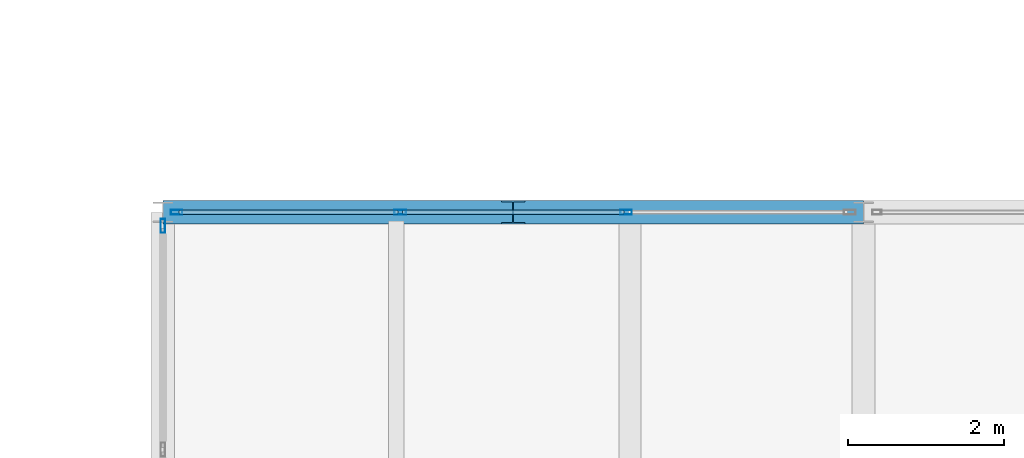
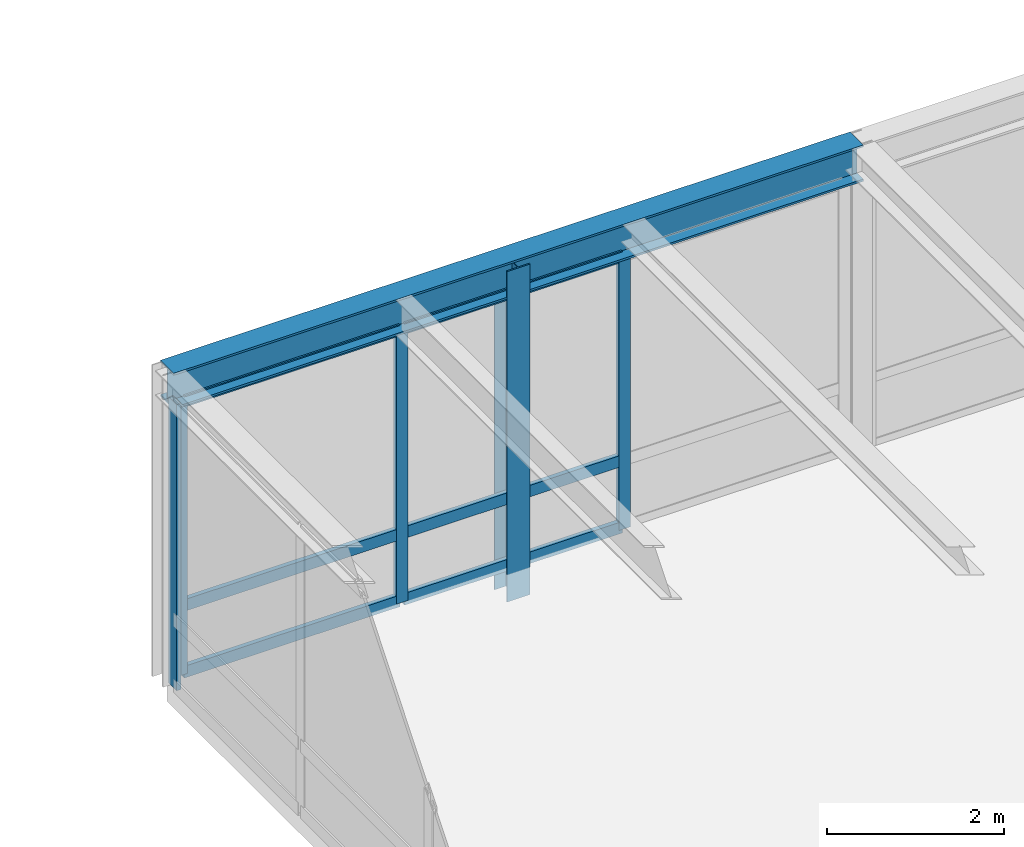
# One storey, part 65 of 115: 11 members, 1 beam, 2 elements without a shape of their own.
"""IFC4 building model written with IfcOpenShell, lengths in metres."""

import ifcopenshell
import ifcopenshell.guid

model = None  # the IFC model being written
_history = None  # IfcOwnerHistory: only IFC2X3 demands one
_inside = {}  # id of a spatial element -> (the spatial element, [elements in it])
_under = {}  # id of a project, library or spatial element -> (it, [spatial elements below it])
_declared = {}  # id of a project -> (the project, [libraries it declares])
_typed = {}  # id of a type object -> (the type object, [elements of that type])
_made_of = {}  # id of a material, layer set ... -> (it, [elements and type objects made of it])


def new_model(schema):
    """Start an empty IFC model of exactly this schema.

    Asked for "IFC4X3", IfcOpenShell would pick the latest addendum, in which some entities
    have other attributes; the version numbers below select the first issue.
    IFC2X3 requires an IfcOwnerHistory on every rooted entity: one is made here for all.
    """
    global model, _history
    if schema == "IFC4X3":
        model = ifcopenshell.file(schema_version=(4, 3, 0, 0))
    else:
        model = ifcopenshell.file(schema=schema)
    _inside.clear()
    _under.clear()
    _declared.clear()
    _typed.clear()
    _made_of.clear()
    _history = None
    if model.schema == "IFC2X3":
        org = make("IfcOrganization", Name="unknown")
        user = make(
            "IfcPersonAndOrganization",
            ThePerson=make("IfcPerson", FamilyName="unknown"),
            TheOrganization=org,
        )
        app = make(
            "IfcApplication",
            ApplicationDeveloper=org,
            Version="unknown",
            ApplicationFullName="unknown",
            ApplicationIdentifier="unknown",
        )
        _history = make(
            "IfcOwnerHistory",
            OwningUser=user,
            OwningApplication=app,
            ChangeAction="ADDED",
            CreationDate=0,
        )
    return model


def make(cls, **values):
    """One entity of the class cls with the attributes given. An attribute that is None is left unset."""
    return model.create_entity(
        cls, **{name: value for name, value in values.items() if value is not None}
    )


def rooted(cls, **values):
    """An entity with a GlobalId (a new one), such as an element, a storey or a relation."""
    return make(cls, GlobalId=ifcopenshell.guid.new(), OwnerHistory=_history, **values)


def si_unit(unit_type, name, prefix=None):
    """IfcSIUnit, for example si_unit("LENGTHUNIT", "METRE", prefix="MILLI")."""
    return make("IfcSIUnit", UnitType=unit_type, Prefix=prefix, Name=name)


def assignment(units):
    """IfcUnitAssignment: the units of a project."""
    return None if units is None else make("IfcUnitAssignment", Units=units)


def point(xyz):
    """IfcCartesianPoint."""
    return None if xyz is None else make("IfcCartesianPoint", Coordinates=xyz)


def direction(xyz):
    """IfcDirection."""
    return None if xyz is None else make("IfcDirection", DirectionRatios=xyz)


def frame(location, z_axis=None, x_axis=None):
    """IfcAxis2Placement3D, a coordinate frame: its origin and axes. An axis left out is left unset."""
    return make(
        "IfcAxis2Placement3D",
        Location=point(location),
        Axis=direction(z_axis),
        RefDirection=direction(x_axis),
    )


def frame_2d(location, x_axis=None):
    """IfcAxis2Placement2D, a coordinate frame in the plane: its origin and x axis."""
    return make(
        "IfcAxis2Placement2D", Location=point(location), RefDirection=direction(x_axis)
    )


def origin():
    """The frame at (0, 0, 0) with its axes left unset."""
    return frame((0.0, 0.0, 0.0))


def origin_2d():
    """The frame at (0, 0) in the plane with its x axis left unset."""
    return frame_2d((0.0, 0.0))


def place(relative_to, where):
    """IfcLocalPlacement: puts the frame where relative to a parent placement (None: the world)."""
    return make(
        "IfcLocalPlacement", PlacementRelTo=relative_to, RelativePlacement=where
    )


def context(
    kind, dimensions, precision=None, world=None, true_north=None, identifier=None
):
    """IfcGeometricRepresentationContext, for example the 3D "Model" context."""
    return make(
        "IfcGeometricRepresentationContext",
        ContextIdentifier=identifier,
        ContextType=kind,
        CoordinateSpaceDimension=dimensions,
        Precision=precision,
        WorldCoordinateSystem=world,
        TrueNorth=true_north,
    )


def subcontext(parent, identifier, kind, view, scale=None):
    """IfcGeometricRepresentationSubContext, for example "Body" below "Model"."""
    return make(
        "IfcGeometricRepresentationSubContext",
        ContextIdentifier=identifier,
        ContextType=kind,
        ParentContext=parent,
        TargetScale=scale,
        TargetView=view,
    )


def project(units=None, contexts=None):
    """IfcProject with its units and contexts."""
    return rooted(
        "IfcProject",
        Name="project",
        RepresentationContexts=contexts,
        UnitsInContext=assignment(units),
    )


def spatial(cls, under=None, at=None, **own):
    """A site, building, storey or space (cls), placed at a placement, below another one or the project."""
    s = rooted(cls, ObjectPlacement=at, **own)
    if under is not None:
        _under.setdefault(under.id(), (under, []))[1].append(s)
    return s


def profile(cls, at=None, kind="AREA", **sizes):
    """A parametric profile (cls). Its sizes go by their IFC names, for example OverallWidth=200.0."""
    return make(cls, ProfileType=kind, Position=at, **sizes)


def hollow_rectangle(**sizes):
    """IfcRectangleHollowProfileDef."""
    return profile("IfcRectangleHollowProfileDef", **sizes)


def i_section(**sizes):
    """IfcIShapeProfileDef."""
    return profile("IfcIShapeProfileDef", **sizes)


def extrude(swept, where, along, depth):
    """IfcExtrudedAreaSolid: the profile swept, set in the frame where, extruded along a direction by depth."""
    return make(
        "IfcExtrudedAreaSolid",
        SweptArea=swept,
        Position=where,
        ExtrudedDirection=direction(along),
        Depth=depth,
    )


def shape(context_of_items, identifier, shape_type, items):
    """IfcShapeRepresentation: the items that make up one representation, for example the "Body"."""
    return make(
        "IfcShapeRepresentation",
        ContextOfItems=context_of_items,
        RepresentationIdentifier=identifier,
        RepresentationType=shape_type,
        Items=items,
    )


def material(Name=None, Category=None):
    """IfcMaterial."""
    return make("IfcMaterial", Name=Name, Category=Category)


def layer(
    of_material, thickness, ventilated=None, Name=None, Category=None, Priority=None
):
    """IfcMaterialLayer: one layer of a wall or slab, of a material (None: an air gap)."""
    return make(
        "IfcMaterialLayer",
        Material=of_material,
        LayerThickness=thickness,
        IsVentilated=ventilated,
        Name=Name,
        Category=Category,
        Priority=Priority,
    )


def layer_set(layers, Name=None):
    """IfcMaterialLayerSet."""
    return make("IfcMaterialLayerSet", MaterialLayers=layers, LayerSetName=Name)


def material_profile(
    of_material, cross_section, Name=None, Category=None, Priority=None
):
    """IfcMaterialProfile: a cross section and its material."""
    return make(
        "IfcMaterialProfile",
        Name=Name,
        Material=of_material,
        Profile=cross_section,
        Priority=Priority,
        Category=Category,
    )


def profile_set(profiles, Name=None, composite=None):
    """IfcMaterialProfileSet."""
    return make(
        "IfcMaterialProfileSet",
        Name=Name,
        MaterialProfiles=profiles,
        CompositeProfile=composite,
    )


def made_of(thing, what):
    """Note that an element or type object is made of a material, layer set ...; save() writes the relation."""
    if what is not None:
        _made_of.setdefault(what.id(), (what, []))[1].append(thing)
    return thing


def type_object(cls, material=None, **own):
    """A type object (cls), such as IfcWallType, which elements share."""
    return made_of(rooted(cls, **own), material)


def element(
    cls,
    number,
    at=None,
    inside=None,
    cuts=None,
    type_object=None,
    material=None,
    context=None,
    identifier="Body",
    shape_type=None,
    held_by="IfcProductDefinitionShape",
    body=None,
    shapes=None,
    **own,
):
    """One element of the class cls, such as IfcWall. Its Tag is "e" and its number.

    at: its placement. inside: the storey or other place that contains it. cuts: it is an
    opening in that element (IfcRelVoidsElement). A single representation is given by context,
    identifier, shape_type and body (its items); several are given by shapes. held_by: the class
    of the entity that holds the representations. save() writes the other relations.
    """
    e = rooted(cls, Tag="e%d" % number, ObjectPlacement=at, **own)
    if body is not None:
        shapes = [shape(context, identifier, shape_type, body)]
    if shapes is not None:
        e.Representation = make(held_by, Representations=shapes)
    if inside is not None:
        _inside.setdefault(inside.id(), (inside, []))[1].append(e)
    if cuts is not None:
        rooted(
            "IfcRelVoidsElement", RelatingBuildingElement=cuts, RelatedOpeningElement=e
        )
    if type_object is not None:
        _typed.setdefault(type_object.id(), (type_object, []))[1].append(e)
    return made_of(e, material)


def aggregate(whole, parts):
    """IfcRelAggregates: a whole, such as a stair, and the parts it consists of."""
    return rooted("IfcRelAggregates", RelatingObject=whole, RelatedObjects=parts)


def save(model, path):
    """Write the relations noted so far, then the file.

    IfcRelAggregates (storeys below a building ...), IfcRelContainedInSpatialStructure (elements
    in a storey), IfcRelDefinesByType, IfcRelAssociatesMaterial and IfcRelDeclares: one each for
    every whole, place, type object, material and project.
    """
    for whole, parts in _under.values():
        aggregate(whole, parts)
    for where, things in _inside.values():
        rooted(
            "IfcRelContainedInSpatialStructure",
            RelatedElements=things,
            RelatingStructure=where,
        )
    for kind, things in _typed.values():
        rooted("IfcRelDefinesByType", RelatedObjects=things, RelatingType=kind)
    for what, things in _made_of.values():
        rooted("IfcRelAssociatesMaterial", RelatedObjects=things, RelatingMaterial=what)
    for by, libraries in _declared.values():
        rooted("IfcRelDeclares", RelatingContext=by, RelatedDefinitions=libraries)
    model.write(path)


model = new_model("IFC4")

# Units and contexts
model_context = context("Model", 3, precision=1e-05, world=origin(), true_north=direction((0.0, 1.0)))
body_context = subcontext(model_context, "Body", "Model", "MODEL_VIEW")
ifc_project = project(units=[si_unit("LENGTHUNIT", "METRE"), si_unit("AREAUNIT", "SQUARE_METRE"), si_unit("VOLUMEUNIT", "CUBIC_METRE"), si_unit("PLANEANGLEUNIT", "RADIAN"), si_unit("MASSUNIT", "GRAM", prefix="KILO")], contexts=[model_context])

# Site, building, storey
site_placement = place(None, origin())
site = spatial("IfcSite", under=ifc_project, at=site_placement, CompositionType="ELEMENT")
building_placement = place(site_placement, origin())
building = spatial("IfcBuilding", under=site, at=building_placement, Name="Montelvaro Courts of Justice", CompositionType="ELEMENT")
storey_placement = place(building_placement, frame((0.0, 0.0, 9.89990234375)))
storey = spatial("IfcBuildingStorey", under=building, at=storey_placement, Name="L02", CompositionType="ELEMENT", Elevation=9.89990234375)

# Beam
ifc_material_1 = material(Name="Steel S355", Category="steel")
ifc_material_profile_1 = material_profile(ifc_material_1, i_section(OverallWidth=0.300048828125, OverallDepth=0.5, WebThickness=0.014404296875, FlangeThickness=0.028076171875, at=origin_2d()), Name="HEB 500")
ifc_profile_set_1 = profile_set([ifc_material_profile_1], Name="Steel S355")
beam_type = type_object("IfcBeamType", Name="Beam_HEB500", PredefinedType="USERDEFINED", material=ifc_profile_set_1)
beam_placement = place(storey_placement, frame((27.0, 108.0, 4.050048828125), z_axis=(1.0, 0.0, 0.0), x_axis=(0.0, 1.0, 0.0)))
element("IfcBeam", 1, at=beam_placement, inside=storey, type_object=beam_type, Name="Beam B-25 L02", ObjectType="GIRDER", PredefinedType="USERDEFINED", context=body_context, shape_type="SweptSolid", body=[
    extrude(i_section(OverallWidth=0.300048828125, OverallDepth=0.5, WebThickness=0.014404296875, FlangeThickness=0.028076171875, at=origin_2d()), origin(), (0.0, 0.0, 1.0), 9.0),
])

# Curtain wall, members
ifc_material_2 = material(Name="Anodised aluminium EN AW-6063", Category="aluminium")
ifc_layer_1 = layer(ifc_material_2, 0.159912109375)
ifc_layer_set_1 = layer_set([ifc_layer_1], Name="Anodised aluminium EN AW-6063")
curtain_wall_type_1 = type_object("IfcCurtainWallType", Name="CurtainWall_18_868x418", PredefinedType="USERDEFINED", material=ifc_layer_set_1)
curtain_wall_1_placement = place(storey_placement, origin())
curtain_wall_1 = element("IfcCurtainWall", 2, at=curtain_wall_1_placement, inside=storey, type_object=curtain_wall_type_1, Name="Curtain Wall CW-18 (L02)", ObjectType="CURTAIN WALL", PredefinedType="USERDEFINED")
ifc_material_profile_2 = material_profile(ifc_material_2, hollow_rectangle(XDim=0.06005859375, YDim=0.14990234375, WallThickness=0.00390625, at=origin_2d()), Name="ALU-M 60x150")
ifc_profile_set_2 = profile_set([ifc_material_profile_2], Name="Anodised aluminium EN AW-6063")
member_type_1 = type_object("IfcMemberType", Name="CurtainWall_Mullion_60x150", PredefinedType="MULLION", material=ifc_profile_set_2)
member_1_placement = place(storey_placement, frame((32.95166015625, 108.0, 0.0), z_axis=(0.0, 0.0, 1.0), x_axis=(0.0, -1.0, 0.0)))
member_1 = element("IfcMember", 3, at=member_1_placement, type_object=member_type_1, Name="CW-18 mullion 2", PredefinedType="MULLION", context=body_context, shape_type="SweptSolid", body=[
    extrude(hollow_rectangle(XDim=0.06005859375, YDim=0.14990234375, WallThickness=0.00390625, at=origin_2d()), origin(), (0.0, 0.0, 1.0), 3.795166015625),
])
member_2_placement = place(storey_placement, frame((30.04833984375, 108.0, 0.0), z_axis=(0.0, 0.0, 1.0), x_axis=(0.0, -1.0, 0.0)))
member_2 = element("IfcMember", 4, at=member_2_placement, type_object=member_type_1, Name="CW-18 mullion 3", PredefinedType="MULLION", context=body_context, shape_type="SweptSolid", body=[
    extrude(hollow_rectangle(XDim=0.06005859375, YDim=0.14990234375, WallThickness=0.00390625, at=origin_2d()), origin(), (0.0, 0.0, 1.0), 3.795166015625),
])
member_3_placement = place(storey_placement, frame((27.175048828125, 108.0, 0.0), z_axis=(0.0, 0.0, 1.0), x_axis=(0.0, -1.0, 0.0)))
member_3 = element("IfcMember", 5, at=member_3_placement, type_object=member_type_1, Name="CW-18 mullion 4", PredefinedType="MULLION", context=body_context, shape_type="SweptSolid", body=[
    extrude(hollow_rectangle(XDim=0.06005859375, YDim=0.14990234375, WallThickness=0.00390625, at=origin_2d()), origin(), (0.0, 0.0, 1.0), 3.795166015625),
])

# Curtain wall, member
ifc_layer_2 = layer(ifc_material_2, 0.159912109375)
ifc_layer_set_2 = layer_set([ifc_layer_2], Name="Anodised aluminium EN AW-6063")
curtain_wall_type_2 = type_object("IfcCurtainWallType", Name="CurtainWall_19_1159x418", PredefinedType="USERDEFINED", material=ifc_layer_set_2)
curtain_wall_2_placement = place(storey_placement, origin())
curtain_wall_2 = element("IfcCurtainWall", 6, at=curtain_wall_2_placement, inside=storey, type_object=curtain_wall_type_2, Name="Curtain Wall CW-19 (L02)", ObjectType="CURTAIN WALL", PredefinedType="USERDEFINED")
ifc_material_profile_3 = material_profile(ifc_material_2, hollow_rectangle(XDim=0.06005859375, YDim=0.179931640625, WallThickness=0.00439453125, at=origin_2d()), Name="ALU-M 60x180")
ifc_profile_set_3 = profile_set([ifc_material_profile_3], Name="Anodised aluminium EN AW-6063")
member_type_2 = type_object("IfcMemberType", Name="CurtainWall_Mullion_60x180", PredefinedType="MULLION", material=ifc_profile_set_3)
member_4_placement = place(storey_placement, frame((27.0, 107.824951171875, 0.0), z_axis=(0.0, 0.0, 1.0), x_axis=(1.0, 0.0, 0.0)))
member_4 = element("IfcMember", 7, at=member_4_placement, type_object=member_type_2, Name="CW-19 mullion 1", PredefinedType="MULLION", context=body_context, shape_type="SweptSolid", body=[
    extrude(hollow_rectangle(XDim=0.06005859375, YDim=0.179931640625, WallThickness=0.00439453125, at=origin_2d()), origin(), (0.0, 0.0, 1.0), 3.945068359375),
])
aggregate(curtain_wall_2, [member_4])

# Member
ifc_material_profile_4 = material_profile(ifc_material_2, hollow_rectangle(XDim=0.06005859375, YDim=0.159912109375, WallThickness=0.00439453125, at=origin_2d()), Name="ALU-T 60x160")
ifc_profile_set_4 = profile_set([ifc_material_profile_4], Name="Anodised aluminium EN AW-6063")
member_type_3 = type_object("IfcMemberType", Name="CurtainWall_Transom_60x160", PredefinedType="USERDEFINED", material=ifc_profile_set_4)
member_5_placement = place(storey_placement, frame((32.921630859375, 108.0, 0.030029296875), z_axis=(-1.0, 0.0, 0.0), x_axis=(0.0, -1.0, 0.0)))
member_5 = element("IfcMember", 8, at=member_5_placement, type_object=member_type_3, Name="CW-18 transom 2.1", ObjectType="TRANSOM", PredefinedType="USERDEFINED", context=body_context, shape_type="SweptSolid", body=[
    extrude(hollow_rectangle(XDim=0.06005859375, YDim=0.159912109375, WallThickness=0.00439453125, at=origin_2d()), origin(), (0.0, 0.0, 1.0), 2.84326171875),
])

member_6_placement = place(storey_placement, frame((32.921630859375, 108.0, 0.9501953125), z_axis=(-1.0, 0.0, 0.0), x_axis=(0.0, -1.0, 0.0)))
member_6 = element("IfcMember", 9, at=member_6_placement, type_object=member_type_3, Name="CW-18 transom 2.2", ObjectType="TRANSOM", PredefinedType="USERDEFINED", context=body_context, shape_type="SweptSolid", body=[
    extrude(hollow_rectangle(XDim=0.06005859375, YDim=0.159912109375, WallThickness=0.00439453125, at=origin_2d()), origin(), (0.0, 0.0, 1.0), 2.84326171875),
])

member_7_placement = place(storey_placement, frame((32.921630859375, 108.0, 3.76513671875), z_axis=(-1.0, 0.0, 0.0), x_axis=(0.0, -1.0, 0.0)))
member_7 = element("IfcMember", 10, at=member_7_placement, type_object=member_type_3, Name="CW-18 transom 2.3", ObjectType="TRANSOM", PredefinedType="USERDEFINED", context=body_context, shape_type="SweptSolid", body=[
    extrude(hollow_rectangle(XDim=0.06005859375, YDim=0.159912109375, WallThickness=0.00439453125, at=origin_2d()), origin(), (0.0, 0.0, 1.0), 2.84326171875),
])

member_8_placement = place(storey_placement, frame((30.018310546875, 108.0, 0.030029296875), z_axis=(-1.0, 0.0, 0.0), x_axis=(0.0, -1.0, 0.0)))
member_8 = element("IfcMember", 11, at=member_8_placement, type_object=member_type_3, Name="CW-18 transom 3.1", ObjectType="TRANSOM", PredefinedType="USERDEFINED", context=body_context, shape_type="SweptSolid", body=[
    extrude(hollow_rectangle(XDim=0.06005859375, YDim=0.159912109375, WallThickness=0.00439453125, at=origin_2d()), origin(), (0.0, 0.0, 1.0), 2.813232421875),
])

member_9_placement = place(storey_placement, frame((30.018310546875, 108.0, 0.9501953125), z_axis=(-1.0, 0.0, 0.0), x_axis=(0.0, -1.0, 0.0)))
member_9 = element("IfcMember", 12, at=member_9_placement, type_object=member_type_3, Name="CW-18 transom 3.2", ObjectType="TRANSOM", PredefinedType="USERDEFINED", context=body_context, shape_type="SweptSolid", body=[
    extrude(hollow_rectangle(XDim=0.06005859375, YDim=0.159912109375, WallThickness=0.00439453125, at=origin_2d()), origin(), (0.0, 0.0, 1.0), 2.813232421875),
])

member_10_placement = place(storey_placement, frame((30.018310546875, 108.0, 3.76513671875), z_axis=(-1.0, 0.0, 0.0), x_axis=(0.0, -1.0, 0.0)))
member_10 = element("IfcMember", 13, at=member_10_placement, type_object=member_type_3, Name="CW-18 transom 3.3", ObjectType="TRANSOM", PredefinedType="USERDEFINED", context=body_context, shape_type="SweptSolid", body=[
    extrude(hollow_rectangle(XDim=0.06005859375, YDim=0.159912109375, WallThickness=0.00439453125, at=origin_2d()), origin(), (0.0, 0.0, 1.0), 2.813232421875),
])

aggregate(curtain_wall_1, [member_1, member_2, member_3, member_5, member_6, member_7, member_8, member_9, member_10])

ifc_material_profile_5 = material_profile(ifc_material_1, i_section(OverallWidth=0.300048828125, OverallDepth=0.300048828125, WebThickness=0.010986328125, FlangeThickness=0.01904296875, at=origin_2d()), Name="HEB 300")
ifc_profile_set_5 = profile_set([ifc_material_profile_5], Name="Steel S355")
member_type_4 = type_object("IfcMemberType", Name="Mem_HEB300_Post", PredefinedType="POST", material=ifc_profile_set_5)
member_11_placement = place(storey_placement, frame((31.5, 108.0, -0.3798828125), z_axis=(0.0, 0.0, 1.0), x_axis=(1.0, 0.0, 0.0)))
element("IfcMember", 14, at=member_11_placement, inside=storey, type_object=member_type_4, Name="Ceremonial Clerestory Structural Post MP-02-01", PredefinedType="POST", context=body_context, shape_type="SweptSolid", body=[
    extrude(i_section(OverallWidth=0.300048828125, OverallDepth=0.300048828125, WebThickness=0.010986328125, FlangeThickness=0.01904296875, at=origin_2d()), origin(), (0.0, 0.0, 1.0), 4.56005859375),
])

save(model, "model.ifc")
